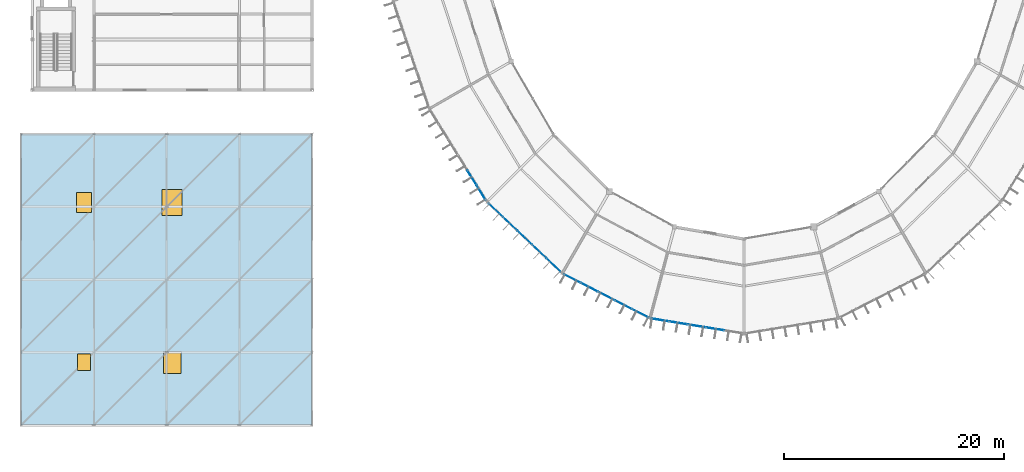
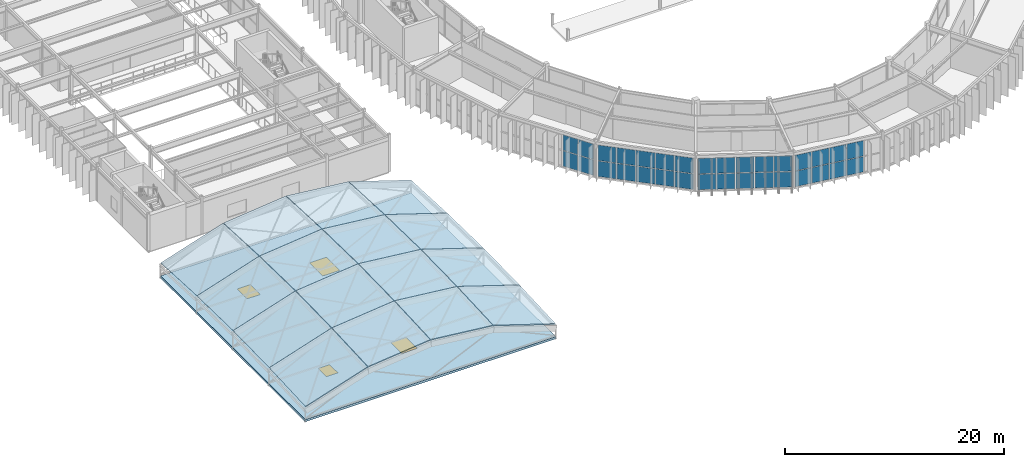
# One storey, part 112 of 157: 32 plates, 17 slabs, 4 windows, 4 openings, 4 elements without a shape of their own.
"""IFC4 building model written with IfcOpenShell, lengths in metres."""

from ifc_helpers import new_model, si_unit, direction, frame, origin, origin_2d, place, context, subcontext, project, spatial, polyline, rectangle, outline, extrude, material, layer, layer_set, type_object, element, fill, aggregate, save


model = new_model("IFC4")

# Units and contexts
model_context = context("Model", 3, precision=1e-05, world=origin(), true_north=direction((0.0, 1.0)))
body_context = subcontext(model_context, "Body", "Model", "MODEL_VIEW")
ifc_project = project(units=[si_unit("LENGTHUNIT", "METRE"), si_unit("AREAUNIT", "SQUARE_METRE"), si_unit("VOLUMEUNIT", "CUBIC_METRE"), si_unit("PLANEANGLEUNIT", "RADIAN"), si_unit("MASSUNIT", "GRAM", prefix="KILO")], contexts=[model_context])

# Site, building, storey
site_placement = place(None, origin())
site = spatial("IfcSite", under=ifc_project, at=site_placement, CompositionType="ELEMENT")
building_placement = place(site_placement, origin())
building = spatial("IfcBuilding", under=site, at=building_placement, Name="Karori Crest Natural Sciences Institute", CompositionType="ELEMENT")
storey_placement = place(building_placement, frame((0.0, 0.0, 13.300048828125)))
storey = spatial("IfcBuildingStorey", under=building, at=storey_placement, Name="L03", CompositionType="ELEMENT", Elevation=13.300048828125)

# Curtain wall, plates
ifc_material_1 = material(Name="Anodised architectural aluminium 6063-T6", Category="aluminium")
curtain_wall_type_1 = type_object("IfcCurtainWallType", Name="CWT-06", PredefinedType="NOTDEFINED", material=ifc_material_1)
curtain_wall_1_placement = place(storey_placement, origin())
curtain_wall_1 = element("IfcCurtainWall", 1, at=curtain_wall_1_placement, inside=storey, type_object=curtain_wall_type_1, Name="Curtain wall CW-0123", PredefinedType="NOTDEFINED")
ifc_material_2 = material(Name="Double low-E laminated glass", Category="glass")
ifc_layer_1 = layer(ifc_material_2, 0.02392578125, Name="Double low-E laminated glass")
ifc_layer_set_1 = layer_set([ifc_layer_1], Name="Double low-E laminated glass")
plate_type_1 = type_object("IfcPlateType", Name="CWP-01", PredefinedType="CURTAIN_PANEL", material=ifc_layer_set_1)
plate_1_placement = place(storey_placement, frame((49.1044921875, 15.321044921875, 0.06005859375), z_axis=(0.0, 0.0, 1.0), x_axis=(-0.725471459192, 0.688252251648, 0.0)))
plate_1 = element("IfcPlate", 2, at=plate_1_placement, type_object=plate_type_1, Name="CW-0123 panel 1.1", PredefinedType="CURTAIN_PANEL", context=body_context, shape_type="SweptSolid", body=[
    extrude(rectangle(XDim=1.717041015625, YDim=0.02392578125, at=origin_2d()), origin(), (0.0, 0.0, 1.0), 1.722412109375),
])
plate_2_placement = place(storey_placement, frame((49.1044921875, 15.321044921875, 1.84228515625), z_axis=(0.0, 0.0, 1.0), x_axis=(-0.725471459192, 0.688252251648, 0.0)))
plate_2 = element("IfcPlate", 3, at=plate_2_placement, type_object=plate_type_1, Name="CW-0123 panel 1.2", PredefinedType="CURTAIN_PANEL", context=body_context, shape_type="SweptSolid", body=[
    extrude(rectangle(XDim=1.717041015625, YDim=0.02392578125, at=origin_2d()), origin(), (0.0, 0.0, 1.0), 1.722412109375),
])
plate_3_placement = place(storey_placement, frame((47.799560546875, 16.55859375, 0.06005859375), z_axis=(0.0, 0.0, 1.0), x_axis=(-0.725471459192, 0.688252251648, 0.0)))
plate_3 = element("IfcPlate", 4, at=plate_3_placement, type_object=plate_type_1, Name="CW-0123 panel 2.1", PredefinedType="CURTAIN_PANEL", context=body_context, shape_type="SweptSolid", body=[
    extrude(rectangle(XDim=1.749755859375, YDim=0.02392578125, at=origin_2d()), origin(), (0.0, 0.0, 1.0), 1.722412109375),
])
plate_4_placement = place(storey_placement, frame((47.799560546875, 16.55859375, 1.84228515625), z_axis=(0.0, 0.0, 1.0), x_axis=(-0.725471459192, 0.688252251648, 0.0)))
plate_4 = element("IfcPlate", 5, at=plate_4_placement, type_object=plate_type_1, Name="CW-0123 panel 2.2", PredefinedType="CURTAIN_PANEL", context=body_context, shape_type="SweptSolid", body=[
    extrude(rectangle(XDim=1.749755859375, YDim=0.02392578125, at=origin_2d()), origin(), (0.0, 0.0, 1.0), 1.722412109375),
])
plate_5_placement = place(storey_placement, frame((46.483154296875, 17.8076171875, 0.06005859375), z_axis=(0.0, 0.0, 1.0), x_axis=(-0.725471459192, 0.688252251648, 0.0)))
plate_5 = element("IfcPlate", 6, at=plate_5_placement, type_object=plate_type_1, Name="CW-0123 panel 3.1", PredefinedType="CURTAIN_PANEL", context=body_context, shape_type="SweptSolid", body=[
    extrude(rectangle(XDim=1.749755859375, YDim=0.02392578125, at=origin_2d()), origin(), (0.0, 0.0, 1.0), 1.722412109375),
])
plate_6_placement = place(storey_placement, frame((46.483154296875, 17.8076171875, 1.84228515625), z_axis=(0.0, 0.0, 1.0), x_axis=(-0.725471459192, 0.688252251648, 0.0)))
plate_6 = element("IfcPlate", 7, at=plate_6_placement, type_object=plate_type_1, Name="CW-0123 panel 3.2", PredefinedType="CURTAIN_PANEL", context=body_context, shape_type="SweptSolid", body=[
    extrude(rectangle(XDim=1.749755859375, YDim=0.02392578125, at=origin_2d()), origin(), (0.0, 0.0, 1.0), 1.722412109375),
])
plate_7_placement = place(storey_placement, frame((45.166748046875, 19.056640625, 0.06005859375), z_axis=(0.0, 0.0, 1.0), x_axis=(-0.725471459192, 0.688252251648, 0.0)))
plate_7 = element("IfcPlate", 8, at=plate_7_placement, type_object=plate_type_1, Name="CW-0123 panel 4.1", PredefinedType="CURTAIN_PANEL", context=body_context, shape_type="SweptSolid", body=[
    extrude(rectangle(XDim=1.749755859375, YDim=0.02392578125, at=origin_2d()), origin(), (0.0, 0.0, 1.0), 1.722412109375),
])
plate_8_placement = place(storey_placement, frame((45.166748046875, 19.056640625, 1.84228515625), z_axis=(0.0, 0.0, 1.0), x_axis=(-0.725471459192, 0.688252251648, 0.0)))
plate_8 = element("IfcPlate", 9, at=plate_8_placement, type_object=plate_type_1, Name="CW-0123 panel 4.2", PredefinedType="CURTAIN_PANEL", context=body_context, shape_type="SweptSolid", body=[
    extrude(rectangle(XDim=1.749755859375, YDim=0.02392578125, at=origin_2d()), origin(), (0.0, 0.0, 1.0), 1.722412109375),
])
plate_9_placement = place(storey_placement, frame((43.862060546875, 20.29443359375, 0.06005859375), z_axis=(0.0, 0.0, 1.0), x_axis=(-0.725471459192, 0.688252251648, 0.0)))
plate_9 = element("IfcPlate", 10, at=plate_9_placement, type_object=plate_type_1, Name="CW-0123 panel 5.1", PredefinedType="CURTAIN_PANEL", context=body_context, shape_type="SweptSolid", body=[
    extrude(rectangle(XDim=1.717041015625, YDim=0.02392578125, at=origin_2d()), origin(), (0.0, 0.0, 1.0), 1.722412109375),
])
plate_10_placement = place(storey_placement, frame((43.862060546875, 20.29443359375, 1.84228515625), z_axis=(0.0, 0.0, 1.0), x_axis=(-0.725471459192, 0.688252251648, 0.0)))
plate_10 = element("IfcPlate", 11, at=plate_10_placement, type_object=plate_type_1, Name="CW-0123 panel 5.2", PredefinedType="CURTAIN_PANEL", context=body_context, shape_type="SweptSolid", body=[
    extrude(rectangle(XDim=1.717041015625, YDim=0.02392578125, at=origin_2d()), origin(), (0.0, 0.0, 1.0), 1.722412109375),
])
aggregate(curtain_wall_1, [plate_1, plate_2, plate_3, plate_4, plate_5, plate_6, plate_7, plate_8, plate_9, plate_10])

curtain_wall_type_2 = type_object("IfcCurtainWallType", Name="CWT-07", PredefinedType="NOTDEFINED", material=ifc_material_1)
curtain_wall_2_placement = place(storey_placement, origin())
curtain_wall_2 = element("IfcCurtainWall", 12, at=curtain_wall_2_placement, inside=storey, type_object=curtain_wall_type_2, Name="Curtain wall CW-0124", PredefinedType="NOTDEFINED")
ifc_layer_2 = layer(ifc_material_2, 0.033935546875, Name="Double low-E laminated glass")
ifc_layer_set_2 = layer_set([ifc_layer_2], Name="Double low-E laminated glass")
plate_type_2 = type_object("IfcPlateType", Name="CWP-02", PredefinedType="CURTAIN_PANEL", material=ifc_layer_set_2)
plate_11_placement = place(storey_placement, frame((56.993408203125, 10.933349609375, 0.06494140625), z_axis=(0.0, 0.0, 1.0), x_axis=(-0.890067432138, 0.455828878252, 0.0)))
plate_11 = element("IfcPlate", 13, at=plate_11_placement, type_object=plate_type_2, Name="CW-0124 panel 1.1", PredefinedType="CURTAIN_PANEL", context=body_context, shape_type="SweptSolid", body=[
    extrude(rectangle(XDim=1.645751953125, YDim=0.033935546875, at=origin_2d()), origin(), (0.0, 0.0, 1.0), 1.715087890625),
])
plate_12_placement = place(storey_placement, frame((56.993408203125, 10.933349609375, 1.8447265625), z_axis=(0.0, 0.0, 1.0), x_axis=(-0.890067432138, 0.455828878252, 0.0)))
plate_12 = element("IfcPlate", 14, at=plate_12_placement, type_object=plate_type_2, Name="CW-0124 panel 1.2", PredefinedType="CURTAIN_PANEL", context=body_context, shape_type="SweptSolid", body=[
    extrude(rectangle(XDim=1.645751953125, YDim=0.033935546875, at=origin_2d()), origin(), (0.0, 0.0, 1.0), 1.715087890625),
])
plate_13_placement = place(storey_placement, frame((55.456298828125, 11.720703125, 0.06494140625), z_axis=(0.0, 0.0, 1.0), x_axis=(-0.890067432138, 0.455828878252, 0.0)))
plate_13 = element("IfcPlate", 15, at=plate_13_placement, type_object=plate_type_2, Name="CW-0124 panel 2.1", PredefinedType="CURTAIN_PANEL", context=body_context, shape_type="SweptSolid", body=[
    extrude(rectangle(XDim=1.678466796875, YDim=0.033935546875, at=origin_2d()), origin(), (0.0, 0.0, 1.0), 1.715087890625),
])
plate_14_placement = place(storey_placement, frame((55.456298828125, 11.720703125, 1.8447265625), z_axis=(0.0, 0.0, 1.0), x_axis=(-0.890067432138, 0.455828878252, 0.0)))
plate_14 = element("IfcPlate", 16, at=plate_14_placement, type_object=plate_type_2, Name="CW-0124 panel 2.2", PredefinedType="CURTAIN_PANEL", context=body_context, shape_type="SweptSolid", body=[
    extrude(rectangle(XDim=1.678466796875, YDim=0.033935546875, at=origin_2d()), origin(), (0.0, 0.0, 1.0), 1.715087890625),
])
plate_15_placement = place(storey_placement, frame((53.904541015625, 12.515380859375, 0.06494140625), z_axis=(0.0, 0.0, 1.0), x_axis=(-0.890067432138, 0.455828878252, 0.0)))
plate_15 = element("IfcPlate", 17, at=plate_15_placement, type_object=plate_type_2, Name="CW-0124 panel 3.1", PredefinedType="CURTAIN_PANEL", context=body_context, shape_type="SweptSolid", body=[
    extrude(rectangle(XDim=1.678466796875, YDim=0.033935546875, at=origin_2d()), origin(), (0.0, 0.0, 1.0), 1.715087890625),
])
plate_16_placement = place(storey_placement, frame((53.904541015625, 12.515380859375, 1.8447265625), z_axis=(0.0, 0.0, 1.0), x_axis=(-0.890067432138, 0.455828878252, 0.0)))
plate_16 = element("IfcPlate", 18, at=plate_16_placement, type_object=plate_type_2, Name="CW-0124 panel 3.2", PredefinedType="CURTAIN_PANEL", context=body_context, shape_type="SweptSolid", body=[
    extrude(rectangle(XDim=1.678466796875, YDim=0.033935546875, at=origin_2d()), origin(), (0.0, 0.0, 1.0), 1.715087890625),
])
plate_17_placement = place(storey_placement, frame((52.352783203125, 13.31005859375, 0.06494140625), z_axis=(0.0, 0.0, 1.0), x_axis=(-0.890067432138, 0.455828878252, 0.0)))
plate_17 = element("IfcPlate", 19, at=plate_17_placement, type_object=plate_type_2, Name="CW-0124 panel 4.1", PredefinedType="CURTAIN_PANEL", context=body_context, shape_type="SweptSolid", body=[
    extrude(rectangle(XDim=1.678466796875, YDim=0.033935546875, at=origin_2d()), origin(), (0.0, 0.0, 1.0), 1.715087890625),
])
plate_18_placement = place(storey_placement, frame((52.352783203125, 13.31005859375, 1.8447265625), z_axis=(0.0, 0.0, 1.0), x_axis=(-0.890067432138, 0.455828878252, 0.0)))
plate_18 = element("IfcPlate", 20, at=plate_18_placement, type_object=plate_type_2, Name="CW-0124 panel 4.2", PredefinedType="CURTAIN_PANEL", context=body_context, shape_type="SweptSolid", body=[
    extrude(rectangle(XDim=1.678466796875, YDim=0.033935546875, at=origin_2d()), origin(), (0.0, 0.0, 1.0), 1.715087890625),
])
plate_19_placement = place(storey_placement, frame((50.8154296875, 14.097412109375, 0.06494140625), z_axis=(0.0, 0.0, 1.0), x_axis=(-0.890067432138, 0.455828878252, 0.0)))
plate_19 = element("IfcPlate", 21, at=plate_19_placement, type_object=plate_type_2, Name="CW-0124 panel 5.1", PredefinedType="CURTAIN_PANEL", context=body_context, shape_type="SweptSolid", body=[
    extrude(rectangle(XDim=1.645751953125, YDim=0.033935546875, at=origin_2d()), origin(), (0.0, 0.0, 1.0), 1.715087890625),
])
plate_20_placement = place(storey_placement, frame((50.8154296875, 14.097412109375, 1.8447265625), z_axis=(0.0, 0.0, 1.0), x_axis=(-0.890067432138, 0.455828878252, 0.0)))
plate_20 = element("IfcPlate", 22, at=plate_20_placement, type_object=plate_type_2, Name="CW-0124 panel 5.2", PredefinedType="CURTAIN_PANEL", context=body_context, shape_type="SweptSolid", body=[
    extrude(rectangle(XDim=1.645751953125, YDim=0.033935546875, at=origin_2d()), origin(), (0.0, 0.0, 1.0), 1.715087890625),
])
aggregate(curtain_wall_2, [plate_11, plate_12, plate_13, plate_14, plate_15, plate_16, plate_17, plate_18, plate_19, plate_20])

curtain_wall_type_3 = type_object("IfcCurtainWallType", Name="CWT-05", PredefinedType="NOTDEFINED", material=ifc_material_1)
curtain_wall_3_placement = place(storey_placement, origin())
curtain_wall_3 = element("IfcCurtainWall", 23, at=curtain_wall_3_placement, inside=storey, type_object=curtain_wall_type_3, Name="Curtain wall CW-0121", PredefinedType="NOTDEFINED")
ifc_layer_3 = layer(ifc_material_2, 0.0439453125, Name="Double low-E laminated glass")
ifc_layer_set_3 = layer_set([ifc_layer_3], Name="Double low-E laminated glass")
plate_type_3 = type_object("IfcPlateType", Name="CWP-03", PredefinedType="CURTAIN_PANEL", material=ifc_layer_set_3)
plate_21_placement = place(storey_placement, frame((42.551025390625, 21.87890625, 0.06494140625), z_axis=(0.0, 0.0, 1.0), x_axis=(-0.527327706489, 0.849661985715, 0.0)))
plate_21 = element("IfcPlate", 24, at=plate_21_placement, type_object=plate_type_3, Name="CW-0121 panel 1.1", PredefinedType="CURTAIN_PANEL", context=body_context, shape_type="SweptSolid", body=[
    extrude(rectangle(XDim=1.519287109375, YDim=0.0439453125, at=origin_2d()), origin(), (0.0, 0.0, 1.0), 1.715087890625),
])
plate_22_placement = place(storey_placement, frame((42.551025390625, 21.87890625, 1.8447265625), z_axis=(0.0, 0.0, 1.0), x_axis=(-0.527327706489, 0.849661985715, 0.0)))
plate_22 = element("IfcPlate", 25, at=plate_22_placement, type_object=plate_type_3, Name="CW-0121 panel 1.2", PredefinedType="CURTAIN_PANEL", context=body_context, shape_type="SweptSolid", body=[
    extrude(rectangle(XDim=1.519287109375, YDim=0.0439453125, at=origin_2d()), origin(), (0.0, 0.0, 1.0), 1.715087890625),
])
plate_23_placement = place(storey_placement, frame((41.70703125, 23.239013671875, 0.06494140625), z_axis=(0.0, 0.0, 1.0), x_axis=(-0.527327706489, 0.849661985715, 0.0)))
plate_23 = element("IfcPlate", 26, at=plate_23_placement, type_object=plate_type_3, Name="CW-0121 panel 2.1", PredefinedType="CURTAIN_PANEL", context=body_context, shape_type="SweptSolid", body=[
    extrude(rectangle(XDim=1.5517578125, YDim=0.0439453125, at=origin_2d()), origin(), (0.0, 0.0, 1.0), 1.715087890625),
])
plate_24_placement = place(storey_placement, frame((41.70703125, 23.239013671875, 1.8447265625), z_axis=(0.0, 0.0, 1.0), x_axis=(-0.527327706489, 0.849661985715, 0.0)))
plate_24 = element("IfcPlate", 27, at=plate_24_placement, type_object=plate_type_3, Name="CW-0121 panel 2.2", PredefinedType="CURTAIN_PANEL", context=body_context, shape_type="SweptSolid", body=[
    extrude(rectangle(XDim=1.5517578125, YDim=0.0439453125, at=origin_2d()), origin(), (0.0, 0.0, 1.0), 1.715087890625),
])
aggregate(curtain_wall_3, [plate_21, plate_22, plate_23, plate_24])

curtain_wall_type_4 = type_object("IfcCurtainWallType", Name="CWT-08", PredefinedType="NOTDEFINED", material=ifc_material_1)
curtain_wall_4_placement = place(storey_placement, origin())
curtain_wall_4 = element("IfcCurtainWall", 28, at=curtain_wall_4_placement, inside=storey, type_object=curtain_wall_type_4, Name="Curtain wall CW-0126", PredefinedType="NOTDEFINED")
plate_25_placement = place(storey_placement, frame((63.77197265625, 9.52783203125, 0.06005859375), z_axis=(0.0, 0.0, 1.0), x_axis=(-0.987010543275, 0.160655493101, 0.0)))
plate_25 = element("IfcPlate", 29, at=plate_25_placement, type_object=plate_type_3, Name="CW-0126 panel 2.1", PredefinedType="CURTAIN_PANEL", context=body_context, shape_type="SweptSolid", body=[
    extrude(rectangle(XDim=1.625, YDim=0.0439453125, at=origin_2d()), origin(), (0.0, 0.0, 1.0), 1.722412109375),
])
plate_26_placement = place(storey_placement, frame((63.77197265625, 9.52783203125, 1.84228515625), z_axis=(0.0, 0.0, 1.0), x_axis=(-0.987010543275, 0.160655493101, 0.0)))
plate_26 = element("IfcPlate", 30, at=plate_26_placement, type_object=plate_type_3, Name="CW-0126 panel 2.2", PredefinedType="CURTAIN_PANEL", context=body_context, shape_type="SweptSolid", body=[
    extrude(rectangle(XDim=1.625, YDim=0.0439453125, at=origin_2d()), origin(), (0.0, 0.0, 1.0), 1.722412109375),
])
plate_27_placement = place(storey_placement, frame((62.10400390625, 9.79931640625, 0.06005859375), z_axis=(0.0, 0.0, 1.0), x_axis=(-0.987010543275, 0.160655493101, 0.0)))
plate_27 = element("IfcPlate", 31, at=plate_27_placement, type_object=plate_type_3, Name="CW-0126 panel 3.1", PredefinedType="CURTAIN_PANEL", context=body_context, shape_type="SweptSolid", body=[
    extrude(rectangle(XDim=1.625, YDim=0.0439453125, at=origin_2d()), origin(), (0.0, 0.0, 1.0), 1.722412109375),
])
plate_28_placement = place(storey_placement, frame((62.10400390625, 9.79931640625, 1.84228515625), z_axis=(0.0, 0.0, 1.0), x_axis=(-0.987010543275, 0.160655493101, 0.0)))
plate_28 = element("IfcPlate", 32, at=plate_28_placement, type_object=plate_type_3, Name="CW-0126 panel 3.2", PredefinedType="CURTAIN_PANEL", context=body_context, shape_type="SweptSolid", body=[
    extrude(rectangle(XDim=1.625, YDim=0.0439453125, at=origin_2d()), origin(), (0.0, 0.0, 1.0), 1.722412109375),
])
plate_29_placement = place(storey_placement, frame((60.43603515625, 10.07080078125, 0.06005859375), z_axis=(0.0, 0.0, 1.0), x_axis=(-0.987010543275, 0.160655493101, 0.0)))
plate_29 = element("IfcPlate", 33, at=plate_29_placement, type_object=plate_type_3, Name="CW-0126 panel 4.1", PredefinedType="CURTAIN_PANEL", context=body_context, shape_type="SweptSolid", body=[
    extrude(rectangle(XDim=1.625, YDim=0.0439453125, at=origin_2d()), origin(), (0.0, 0.0, 1.0), 1.722412109375),
])
plate_30_placement = place(storey_placement, frame((60.43603515625, 10.07080078125, 1.84228515625), z_axis=(0.0, 0.0, 1.0), x_axis=(-0.987010543275, 0.160655493101, 0.0)))
plate_30 = element("IfcPlate", 34, at=plate_30_placement, type_object=plate_type_3, Name="CW-0126 panel 4.2", PredefinedType="CURTAIN_PANEL", context=body_context, shape_type="SweptSolid", body=[
    extrude(rectangle(XDim=1.625, YDim=0.0439453125, at=origin_2d()), origin(), (0.0, 0.0, 1.0), 1.722412109375),
])
plate_31_placement = place(storey_placement, frame((58.783935546875, 10.339599609375, 0.06005859375), z_axis=(0.0, 0.0, 1.0), x_axis=(-0.987010543275, 0.160655493101, 0.0)))
plate_31 = element("IfcPlate", 35, at=plate_31_placement, type_object=plate_type_3, Name="CW-0126 panel 5.1", PredefinedType="CURTAIN_PANEL", context=body_context, shape_type="SweptSolid", body=[
    extrude(rectangle(XDim=1.592529296875, YDim=0.0439453125, at=origin_2d()), origin(), (0.0, 0.0, 1.0), 1.722412109375),
])
plate_32_placement = place(storey_placement, frame((58.783935546875, 10.339599609375, 1.84228515625), z_axis=(0.0, 0.0, 1.0), x_axis=(-0.987010543275, 0.160655493101, 0.0)))
plate_32 = element("IfcPlate", 36, at=plate_32_placement, type_object=plate_type_3, Name="CW-0126 panel 5.2", PredefinedType="CURTAIN_PANEL", context=body_context, shape_type="SweptSolid", body=[
    extrude(rectangle(XDim=1.592529296875, YDim=0.0439453125, at=origin_2d()), origin(), (0.0, 0.0, 1.0), 1.722412109375),
])
aggregate(curtain_wall_4, [plate_25, plate_26, plate_27, plate_28, plate_29, plate_30, plate_31, plate_32])

# Slab, openings, windows
ifc_material_3 = material(Name="Concrete 40 MPa", Category="concrete")
ifc_layer_4 = layer(ifc_material_3, 0.25, Name="Concrete 40 MPa")
ifc_layer_set_4 = layer_set([ifc_layer_4], Name="Concrete 40 MPa")
slab_type_1 = type_object("IfcSlabType", Name="SLT-13", PredefinedType="ROOF", material=ifc_layer_set_4)
slab_1_placement = place(storey_placement, frame((0.0, 0.0, -0.25)))
slab_1 = element("IfcSlab", 37, at=slab_1_placement, inside=storey, type_object=slab_type_1, Name="V2 Slab SL-0115", PredefinedType="ROOF", context=body_context, shape_type="SweptSolid", body=[
    extrude(outline(polyline([(0.800048828125, 0.800048828125), (27.199951171875, 0.800048828125), (27.199951171875, 27.199951171875), (0.800048828125, 27.199951171875), (0.800048828125, 0.800048828125)]), holes=[polyline([(5.902099609375, 7.248046875), (7.097900390625, 7.248046875), (7.097900390625, 5.751953125), (5.902099609375, 5.751953125), (5.902099609375, 7.248046875)]), polyline([(5.802001953125, 21.89794921875), (7.197998046875, 21.89794921875), (7.197998046875, 20.10205078125), (5.802001953125, 20.10205078125), (5.802001953125, 21.89794921875)]), polyline([(13.701904296875, 7.498046875), (15.298095703125, 7.498046875), (15.298095703125, 5.501953125), (13.701904296875, 5.501953125), (13.701904296875, 7.498046875)]), polyline([(13.60205078125, 22.197998046875), (15.39794921875, 22.197998046875), (15.39794921875, 19.802001953125), (13.60205078125, 19.802001953125), (13.60205078125, 22.197998046875)])]), origin(), (0.0, 0.0, 1.0), 0.25),
])
opening_1_placement = place(slab_1_placement, frame((6.5, 6.5, 0.0)))
opening_1 = element("IfcOpeningElement", 38, at=opening_1_placement, cuts=slab_1, Name="Opening SK-0001", PredefinedType="OPENING", context=body_context, shape_type="SweptSolid", body=[
    extrude(rectangle(XDim=1.199951171875, YDim=1.5, at=origin_2d()), frame((0.0, 0.0, -0.010009765625)), (0.0, 0.0, 1.0), 0.27001953125),
])
opening_2_placement = place(slab_1_placement, frame((6.5, 21.0, 0.0)))
opening_2 = element("IfcOpeningElement", 39, at=opening_2_placement, cuts=slab_1, Name="Opening SK-0002", PredefinedType="OPENING", context=body_context, shape_type="SweptSolid", body=[
    extrude(rectangle(XDim=1.39990234375, YDim=1.800048828125, at=origin_2d()), frame((0.0, 0.0, -0.010009765625)), (0.0, 0.0, 1.0), 0.27001953125),
])
opening_3_placement = place(slab_1_placement, frame((14.5, 6.5, 0.0)))
opening_3 = element("IfcOpeningElement", 40, at=opening_3_placement, cuts=slab_1, Name="Opening SK-0003", PredefinedType="OPENING", context=body_context, shape_type="SweptSolid", body=[
    extrude(rectangle(XDim=1.60009765625, YDim=2.0, at=origin_2d()), frame((0.0, 0.0, -0.010009765625)), (0.0, 0.0, 1.0), 0.27001953125),
])
opening_4_placement = place(slab_1_placement, frame((14.5, 21.0, 0.0)))
opening_4 = element("IfcOpeningElement", 41, at=opening_4_placement, cuts=slab_1, Name="Opening SK-0004", PredefinedType="OPENING", context=body_context, shape_type="SweptSolid", body=[
    extrude(rectangle(XDim=1.800048828125, YDim=2.39990234375, at=origin_2d()), frame((0.0, 0.0, -0.010009765625)), (0.0, 0.0, 1.0), 0.27001953125),
])
window_type_1 = type_object("IfcWindowType", Name="SKT-01", PartitioningType="SINGLE_PANEL", PredefinedType="SKYLIGHT", material=ifc_material_2)
window_1_placement = place(opening_1_placement, frame((0.0, 0.0, 0.199951171875)))
window_1 = element("IfcWindow", 42, at=window_1_placement, inside=storey, type_object=window_type_1, Name="Roof skylight hatch SK-0001", OverallHeight=1.5, OverallWidth=1.199951171875, PartitioningType="SINGLE_PANEL", PredefinedType="SKYLIGHT", context=body_context, shape_type="SweptSolid", body=[
    extrude(rectangle(XDim=1.199951171875, YDim=1.5, at=origin_2d()), origin(), (0.0, 0.0, 1.0), 0.050048828125),
])
fill(opening_1, window_1)
window_type_2 = type_object("IfcWindowType", Name="SKT-02", PartitioningType="SINGLE_PANEL", PredefinedType="SKYLIGHT", material=ifc_material_2)
window_2_placement = place(opening_2_placement, frame((0.0, 0.0, 0.199951171875)))
window_2 = element("IfcWindow", 43, at=window_2_placement, inside=storey, type_object=window_type_2, Name="Roof skylight hatch SK-0002", OverallHeight=1.800048828125, OverallWidth=1.39990234375, PartitioningType="SINGLE_PANEL", PredefinedType="SKYLIGHT", context=body_context, shape_type="SweptSolid", body=[
    extrude(rectangle(XDim=1.39990234375, YDim=1.800048828125, at=origin_2d()), origin(), (0.0, 0.0, 1.0), 0.050048828125),
])
fill(opening_2, window_2)
window_type_3 = type_object("IfcWindowType", Name="SKT-03", PartitioningType="SINGLE_PANEL", PredefinedType="SKYLIGHT", material=ifc_material_2)
window_3_placement = place(opening_3_placement, frame((0.0, 0.0, 0.199951171875)))
window_3 = element("IfcWindow", 44, at=window_3_placement, inside=storey, type_object=window_type_3, Name="Roof skylight hatch SK-0003", OverallHeight=2.0, OverallWidth=1.60009765625, PartitioningType="SINGLE_PANEL", PredefinedType="SKYLIGHT", context=body_context, shape_type="SweptSolid", body=[
    extrude(rectangle(XDim=1.60009765625, YDim=2.0, at=origin_2d()), origin(), (0.0, 0.0, 1.0), 0.050048828125),
])
fill(opening_3, window_3)
window_type_4 = type_object("IfcWindowType", Name="SKT-04", PartitioningType="SINGLE_PANEL", PredefinedType="SKYLIGHT", material=ifc_material_2)
window_4_placement = place(opening_4_placement, frame((0.0, 0.0, 0.199951171875)))
window_4 = element("IfcWindow", 45, at=window_4_placement, inside=storey, type_object=window_type_4, Name="Roof skylight hatch SK-0004", OverallHeight=2.39990234375, OverallWidth=1.800048828125, PartitioningType="SINGLE_PANEL", PredefinedType="SKYLIGHT", context=body_context, shape_type="SweptSolid", body=[
    extrude(rectangle(XDim=1.800048828125, YDim=2.39990234375, at=origin_2d()), origin(), (0.0, 0.0, 1.0), 0.050048828125),
])
fill(opening_4, window_4)

# Slabs
ifc_material_4 = material(Name="Glulam GL12 insulated roof panel", Category="wood")
ifc_layer_5 = layer(ifc_material_4, 0.1201171875, Name="Glulam GL12 insulated roof panel")
ifc_layer_set_5 = layer_set([ifc_layer_5], Name="Glulam GL12 insulated roof panel")
slab_type_2 = type_object("IfcSlabType", Name="SLT-15", PredefinedType="ROOF", material=ifc_layer_set_5)
slab_2_placement = place(storey_placement, frame((0.82275390625, 0.803955078125, 1.45751953125), z_axis=(-0.307776106274, -0.04580895404, 0.950355411484), x_axis=(0.951354114218, 7.71348e-07, 0.30809957702)))
element("IfcSlab", 46, at=slab_2_placement, inside=storey, type_object=slab_type_2, Name="V2 Gridshell roof SL-0123", PredefinedType="ROOF", context=body_context, shape_type="SweptSolid", body=[
    extrude(outline(polyline([(0.0, 0.0), (6.8896312809080476, -2.7755575615628914e-17), (6.987497095575338, 6.5989630929332295), (0.09794103429058613, 6.598973732654785), (0.0, 0.0)])), origin(), (0.0, 0.0, -1.0), 0.1201171875),
])
slab_3_placement = place(storey_placement, frame((7.423828125, 0.803955078125, 3.59033203125), z_axis=(-0.107197593501, -0.047850241828, 0.993085610763), x_axis=(0.994224473902, 0.0, 0.107320526898)))
element("IfcSlab", 47, at=slab_3_placement, inside=storey, type_object=slab_type_2, Name="V2 Gridshell roof SL-0124", PredefinedType="ROOF", context=body_context, shape_type="SweptSolid", body=[
    extrude(outline(polyline([(0.0, 0.0), (6.590308593020958, 0.0), (6.6243964849874155, 6.599600718881032), (0.0340878919664572, 6.599600718881032), (0.0, 0.0)])), origin(), (0.0, 0.0, -1.0), 0.1201171875),
])
slab_4_placement = place(storey_placement, frame((14.02392578125, 0.803955078125, 4.297607421875), z_axis=(0.107197593501, -0.047850241828, 0.993085610763), x_axis=(0.994224473902, 0.0, -0.107320526898)))
element("IfcSlab", 48, at=slab_4_placement, inside=storey, type_object=slab_type_2, Name="V2 Gridshell roof SL-0125", PredefinedType="ROOF", context=body_context, shape_type="SweptSolid", body=[
    extrude(outline(polyline([(0.0, 0.0), (6.590308593020958, 0.0), (6.556220701054501, 6.599600718881032), (-0.0340878919664572, 6.599600718881032), (0.0, 0.0)])), origin(), (0.0, 0.0, -1.0), 0.1201171875),
])
slab_5_placement = place(storey_placement, frame((20.622802734375, 0.803955078125, 3.580322265625), z_axis=(0.307776106274, -0.04580895404, 0.950355411484), x_axis=(0.951354114218, -7.71348e-07, -0.30809957702)))
element("IfcSlab", 49, at=slab_5_placement, inside=storey, type_object=slab_type_2, Name="V2 Gridshell roof SL-0126", PredefinedType="ROOF", context=body_context, shape_type="SweptSolid", body=[
    extrude(outline(polyline([(0.0, 0.0), (6.8896312809080476, 2.7755575615628914e-17), (6.791690246617461, 6.598973732654786), (-0.09786581466729026, 6.5989630929332295), (0.0, 0.0)])), origin(), (0.0, 0.0, -1.0), 0.1201171875),
])
slab_6_placement = place(storey_placement, frame((0.82275390625, 7.404052734375, 1.775634765625), z_axis=(-0.308060032018, -0.018987616391, 0.951177421461), x_axis=(0.951348931634, 0.0, 0.308115579415)))
element("IfcSlab", 50, at=slab_6_placement, inside=storey, type_object=slab_type_2, Name="V2 Gridshell roof SL-0127", PredefinedType="ROOF", context=body_context, shape_type="SweptSolid", body=[
    extrude(outline(polyline([(0.0, 0.0), (6.889631281884758, -6.938893903907228e-18), (6.930176764625186, 6.59322964991486), (0.040545482740427755, 6.593229649914859), (0.0, 0.0)])), origin(), (0.0, 0.0, -1.0), 0.1201171875),
])
slab_7_placement = place(storey_placement, frame((7.423828125, 7.404052734375, 3.908447265625), z_axis=(-0.107299396326, -0.019843023572, 0.994028718883), x_axis=(0.994224473902, 0.0, 0.107320526898)))
element("IfcSlab", 51, at=slab_7_placement, inside=storey, type_object=slab_type_2, Name="V2 Gridshell roof SL-0128", PredefinedType="ROOF", context=body_context, shape_type="SweptSolid", body=[
    extrude(outline(polyline([(0.0, 0.0), (6.590308593020958, -3.469446951953614e-18), (6.604431093997069, 6.593339192522499), (0.014122500976111015, 6.593339192522499), (0.0, 0.0)])), origin(), (0.0, 0.0, -1.0), 0.1201171875),
])
slab_8_placement = place(storey_placement, frame((14.02392578125, 7.404052734375, 4.61572265625), z_axis=(0.107299396326, -0.019843023572, 0.994028718883), x_axis=(0.994224473902, 0.0, -0.107320526898)))
element("IfcSlab", 52, at=slab_8_placement, inside=storey, type_object=slab_type_2, Name="V2 Gridshell roof SL-0129", PredefinedType="ROOF", context=body_context, shape_type="SweptSolid", body=[
    extrude(outline(polyline([(0.0, 0.0), (6.590308593020958, 3.469446951953614e-18), (6.576186092044847, 6.5933391925225), (-0.014122500976111015, 6.593339192522499), (0.0, 0.0)])), origin(), (0.0, 0.0, -1.0), 0.1201171875),
])
for number, where, z_axis, x_axis, name in (
    (53, (20.622802734375, 7.404052734375, 3.8984375), (0.308060032018, -0.018987616391, 0.951177421461), (0.951348931634, 0.0, -0.308115579415), "V2 Gridshell roof SL-0130"),
    (54, (0.82275390625, 14.00390625, 1.9072265625), (-0.308060032018, 0.018987616391, 0.951177421461), (0.951348931634, 0.0, 0.308115579415), "V2 Gridshell roof SL-0131"),
):
    element("IfcSlab", number, at=place(storey_placement, frame(where, z_axis=z_axis, x_axis=x_axis)), inside=storey, type_object=slab_type_2, Name=name, PredefinedType="ROOF", context=body_context, shape_type="SweptSolid", body=[
        extrude(outline(polyline([(0.0, 0.0), (6.889631281884758, 6.938893903907228e-18), (6.84908579914433, 6.593229649914859), (-0.040545482740427755, 6.593229649914859), (0.0, 0.0)])), origin(), (0.0, 0.0, -1.0), 0.1201171875),
    ])
slab_9_placement = place(storey_placement, frame((7.423828125, 14.00390625, 4.0400390625), z_axis=(-0.107299396326, 0.019843023572, 0.994028718883), x_axis=(0.994224473902, 0.0, 0.107320526898)))
element("IfcSlab", 55, at=slab_9_placement, inside=storey, type_object=slab_type_2, Name="V2 Gridshell roof SL-0132", PredefinedType="ROOF", context=body_context, shape_type="SweptSolid", body=[
    extrude(outline(polyline([(0.0, 0.0), (6.590308593020958, 3.469446951953614e-18), (6.576186092044847, 6.5933391925225), (-0.014122500976111015, 6.593339192522499), (0.0, 0.0)])), origin(), (0.0, 0.0, -1.0), 0.1201171875),
])
slab_10_placement = place(storey_placement, frame((14.02392578125, 14.00390625, 4.747314453125), z_axis=(0.107299396326, 0.019843023572, 0.994028718883), x_axis=(0.994224473902, 0.0, -0.107320526898)))
element("IfcSlab", 56, at=slab_10_placement, inside=storey, type_object=slab_type_2, Name="V2 Gridshell roof SL-0133", PredefinedType="ROOF", context=body_context, shape_type="SweptSolid", body=[
    extrude(outline(polyline([(0.0, 0.0), (6.590308593020958, -3.469446951953614e-18), (6.604431093997069, 6.593339192522499), (0.014122500976111015, 6.593339192522499), (0.0, 0.0)])), origin(), (0.0, 0.0, -1.0), 0.1201171875),
])
slab_11_placement = place(storey_placement, frame((20.622802734375, 14.00390625, 4.030029296875), z_axis=(0.308060032018, 0.018987616391, 0.951177421461), x_axis=(0.951348931634, 0.0, -0.308115579415)))
element("IfcSlab", 57, at=slab_11_placement, inside=storey, type_object=slab_type_2, Name="V2 Gridshell roof SL-0134", PredefinedType="ROOF", context=body_context, shape_type="SweptSolid", body=[
    extrude(outline(polyline([(0.0, 0.0), (6.889631281884758, -6.938893903907228e-18), (6.930176764625186, 6.59322964991486), (0.040545482740427755, 6.593229649914859), (0.0, 0.0)])), origin(), (0.0, 0.0, -1.0), 0.1201171875),
])
slab_12_placement = place(storey_placement, frame((0.82275390625, 20.60400390625, 1.775390625), z_axis=(-0.307776106274, 0.04580895404, 0.950355411484), x_axis=(0.951354136014, 7.71357e-07, 0.308099509717)))
element("IfcSlab", 58, at=slab_12_placement, inside=storey, type_object=slab_type_2, Name="V2 Gridshell roof SL-0135", PredefinedType="ROOF", context=body_context, shape_type="SweptSolid", body=[
    extrude(outline(polyline([(0.0, 0.0), (6.889556061292966, 0.0), (6.791700437577029, 6.598963244062096), (-0.0979308433228012, 6.5989738838998155), (0.0, 0.0)])), origin(), (0.0, 0.0, -1.0), 0.1201171875),
])
slab_13_placement = place(storey_placement, frame((7.423828125, 20.60400390625, 3.907958984375), z_axis=(-0.107197593501, 0.047850241828, 0.993085610763), x_axis=(0.994224473902, 0.0, 0.107320526898)))
element("IfcSlab", 59, at=slab_13_placement, inside=storey, type_object=slab_type_2, Name="V2 Gridshell roof SL-0136", PredefinedType="ROOF", context=body_context, shape_type="SweptSolid", body=[
    extrude(outline(polyline([(0.0, 0.0), (6.590308593020958, 0.0), (6.556220701054501, 6.599600718881032), (-0.0340878919664572, 6.599600718881032), (0.0, 0.0)])), origin(), (0.0, 0.0, -1.0), 0.1201171875),
])
slab_14_placement = place(storey_placement, frame((14.02392578125, 20.60400390625, 4.615234375), z_axis=(0.107197593501, 0.047850241828, 0.993085610763), x_axis=(0.994224473902, 0.0, -0.107320526898)))
element("IfcSlab", 60, at=slab_14_placement, inside=storey, type_object=slab_type_2, Name="V2 Gridshell roof SL-0137", PredefinedType="ROOF", context=body_context, shape_type="SweptSolid", body=[
    extrude(outline(polyline([(0.0, 0.0), (6.590308593020958, 0.0), (6.6243964849874155, 6.599600718881032), (0.0340878919664572, 6.599600718881032), (0.0, 0.0)])), origin(), (0.0, 0.0, -1.0), 0.1201171875),
])
slab_15_placement = place(storey_placement, frame((20.622802734375, 20.60400390625, 3.89794921875), z_axis=(0.307776106274, 0.04580895404, 0.950355411484), x_axis=(0.951354136014, -7.71357e-07, -0.308099509717)))
element("IfcSlab", 61, at=slab_15_placement, inside=storey, type_object=slab_type_2, Name="V2 Gridshell roof SL-0138", PredefinedType="ROOF", context=body_context, shape_type="SweptSolid", body=[
    extrude(outline(polyline([(0.0, 0.0), (6.889556061292966, 0.0), (6.987486904615767, 6.5989738838998155), (0.09785562371593662, 6.598963244062096), (0.0, 0.0)])), origin(), (0.0, 0.0, -1.0), 0.1201171875),
])

save(model, "model.ifc")
